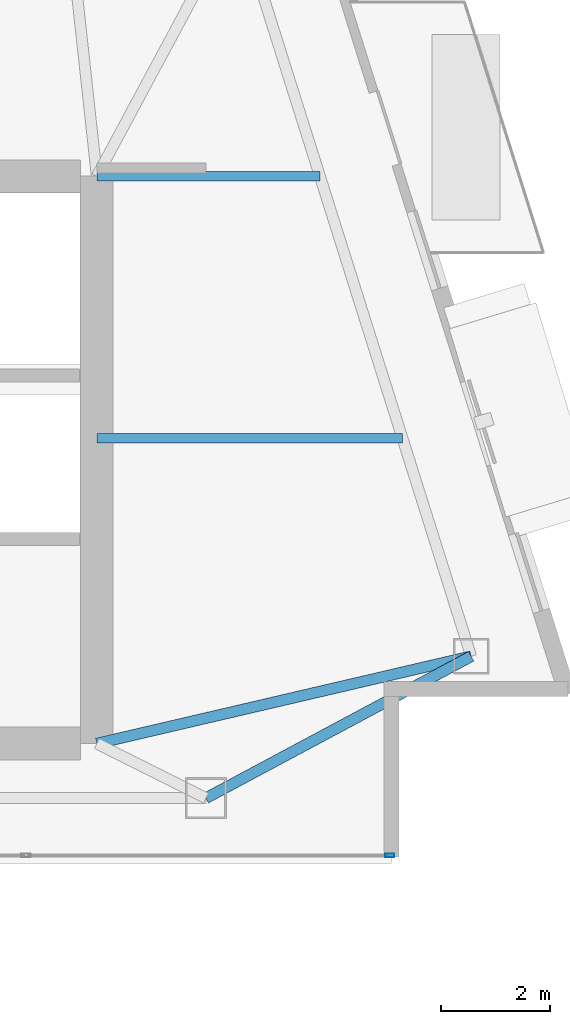
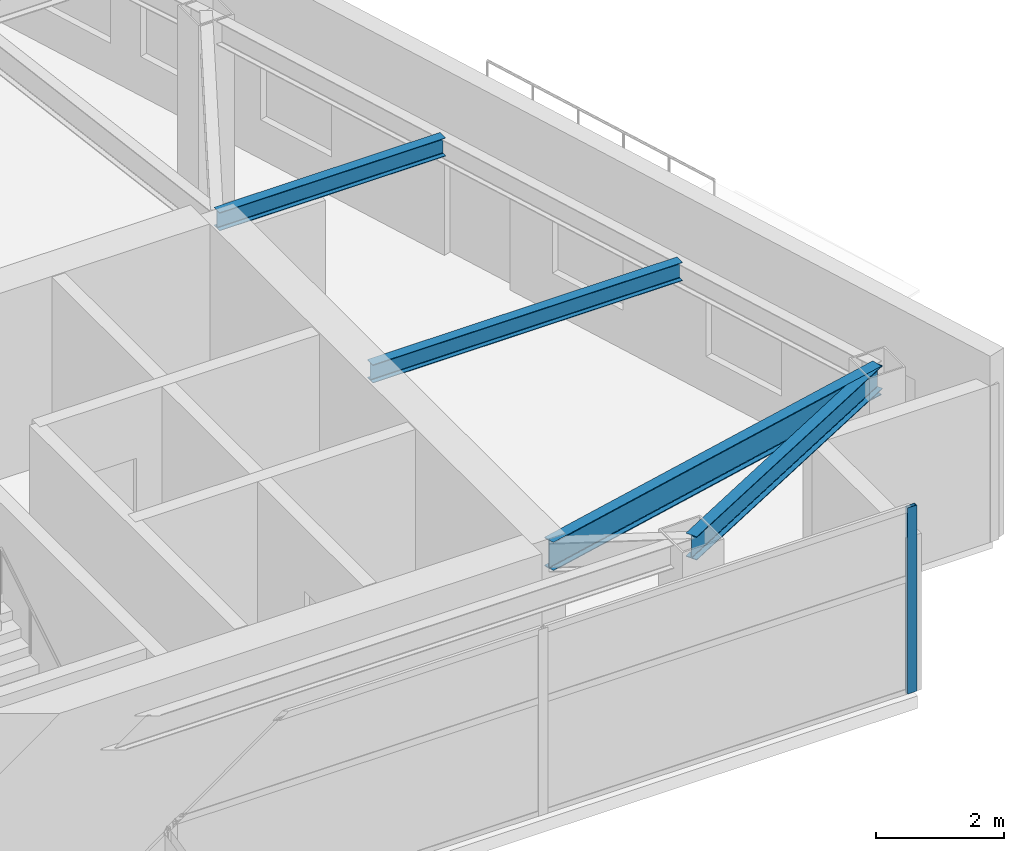
# One storey, part 14 of 27: 4 beams, 1 member, 1 element without a shape of its own.
"""IFC4 building model written with IfcOpenShell, lengths in metres."""

from ifc_helpers import new_model, si_unit, direction, frame, origin, origin_2d, place, context, subcontext, project, spatial, hollow_rectangle, i_section, extrude, material, layer, layer_set, material_profile, profile_set, type_object, element, aggregate, save


model = new_model("IFC4")

# Units and contexts
model_context = context("Model", 3, precision=1e-05, world=origin(), true_north=direction((0.0, 1.0)))
body_context = subcontext(model_context, "Body", "Model", "MODEL_VIEW")
ifc_project = project(units=[si_unit("LENGTHUNIT", "METRE"), si_unit("AREAUNIT", "SQUARE_METRE"), si_unit("VOLUMEUNIT", "CUBIC_METRE"), si_unit("PLANEANGLEUNIT", "RADIAN"), si_unit("MASSUNIT", "GRAM", prefix="KILO")], contexts=[model_context])

# Site, building, storey
site_placement = place(None, origin())
site = spatial("IfcSite", under=ifc_project, at=site_placement, CompositionType="ELEMENT")
building_placement = place(site_placement, origin())
building = spatial("IfcBuilding", under=site, at=building_placement, Name="Calvorn Quay Hotel", CompositionType="ELEMENT")
storey_placement = place(building_placement, frame((0.0, 0.0, 298.699951171875)))
storey = spatial("IfcBuildingStorey", under=building, at=storey_placement, Name="L74", CompositionType="ELEMENT", Elevation=298.699951171875)

# Beams
ifc_material_1 = material(Name="Steel Q355B", Category="steel")
ifc_material_profile_1 = material_profile(ifc_material_1, i_section(OverallWidth=0.199951171875, OverallDepth=0.550048828125, WebThickness=0.010009765625, FlangeThickness=0.01611328125, FilletRadius=0.01806640625, at=origin_2d()), Name="HN550x200x10x16")
ifc_profile_set_1 = profile_set([ifc_material_profile_1], Name="Steel Q355B")
beam_type_1 = type_object("IfcBeamType", Name="BM-GIRD-UPP", PredefinedType="BEAM", material=ifc_profile_set_1)
beam_1_placement = place(storey_placement, frame((32.39990234375, 4.60009765625, 3.26513671875), z_axis=(0.973874684416, 0.227086104935, 0.0), x_axis=(-0.227086104935, 0.973874684416, 0.0)))
element("IfcBeam", 1, at=beam_1_placement, inside=storey, type_object=beam_type_1, Name="Beam BG-L74-E1", PredefinedType="BEAM", context=body_context, shape_type="SweptSolid", body=[
    extrude(i_section(OverallWidth=0.199951171875, OverallDepth=0.550048828125, WebThickness=0.010009765625, FlangeThickness=0.01611328125, FilletRadius=0.01806640625, at=origin_2d()), origin(), (0.0, 0.0, 1.0), 7.045166015625),
])
ifc_material_2 = material(Name="Steel Q355B", Category="steel")
ifc_material_profile_2 = material_profile(ifc_material_2, i_section(OverallWidth=0.175048828125, OverallDepth=0.35009765625, WebThickness=0.007080078125, FlangeThickness=0.010986328125, FilletRadius=0.013916015625, at=origin_2d()), Name="HN350x175x7x11")
ifc_profile_set_2 = profile_set([ifc_material_profile_2], Name="Steel Q355B")
beam_type_2 = type_object("IfcBeamType", Name="BM-JOIST-SEC", PredefinedType="JOIST", material=ifc_profile_set_2)
beam_2_placement = place(storey_placement, frame((32.39990234375, 10.199951171875, 3.364990234375), z_axis=(1.0, 0.0, 0.0), x_axis=(0.0, 1.0, 0.0)))
element("IfcBeam", 2, at=beam_2_placement, inside=storey, type_object=beam_type_2, Name="Beam BJ-L74-E1", PredefinedType="JOIST", context=body_context, shape_type="SweptSolid", body=[
    extrude(i_section(OverallWidth=0.175048828125, OverallDepth=0.35009765625, WebThickness=0.007080078125, FlangeThickness=0.010986328125, FilletRadius=0.013916015625, at=origin_2d()), origin(), (0.0, 0.0, 1.0), 5.60107421875),
])
beam_3_placement = place(storey_placement, frame((32.39990234375, 15.0, 3.364990234375), z_axis=(1.0, 0.0, 0.0), x_axis=(0.0, 1.0, 0.0)))
element("IfcBeam", 3, at=beam_3_placement, inside=storey, type_object=beam_type_2, Name="Beam BJ-L74-E2", PredefinedType="JOIST", context=body_context, shape_type="SweptSolid", body=[
    extrude(i_section(OverallWidth=0.175048828125, OverallDepth=0.35009765625, WebThickness=0.007080078125, FlangeThickness=0.010986328125, FilletRadius=0.013916015625, at=origin_2d()), origin(), (0.0, 0.0, 1.0), 4.088134765625),
])
ifc_material_3 = material(Name="Steel Q355B", Category="steel")
ifc_material_profile_3 = material_profile(ifc_material_3, i_section(OverallWidth=0.199951171875, OverallDepth=0.449951171875, WebThickness=0.009033203125, FlangeThickness=0.013916015625, FilletRadius=0.01611328125, at=origin_2d()), Name="HN450x200x9x14")
ifc_profile_set_3 = profile_set([ifc_material_profile_3], Name="Steel Q355B")
beam_type_3 = type_object("IfcBeamType", Name="BM-SPANDREL-Z3", PredefinedType="SPANDREL", material=ifc_profile_set_3)
beam_4_placement = place(storey_placement, frame((34.39990234375, 3.60009765625, 3.31494140625), z_axis=(0.881804345101, 0.471615412133, 0.0), x_axis=(-0.471615412133, 0.881804345101, 0.0)))
element("IfcBeam", 4, at=beam_4_placement, inside=storey, type_object=beam_type_3, Name="Beam BSP-L74-S4", PredefinedType="SPANDREL", context=body_context, shape_type="SweptSolid", body=[
    extrude(i_section(OverallWidth=0.199951171875, OverallDepth=0.449951171875, WebThickness=0.009033203125, FlangeThickness=0.013916015625, FilletRadius=0.01611328125, at=origin_2d()), origin(), (0.0, 0.0, 1.0), 5.5126953125),
])

# Curtain wall, member
ifc_material_4 = material(Name="Champagne Bronze Anodised Aluminium and Low-E Glass", Category="aluminium")
ifc_layer = layer(ifc_material_4, 0.219970703125)
ifc_layer_set = layer_set([ifc_layer], Name="CW-SYS-Z4")
curtain_wall_type = type_object("IfcCurtainWallType", Name="CW-SYS-Z4", PredefinedType="NOTDEFINED", material=ifc_layer_set)
curtain_wall_placement = place(storey_placement, origin())
curtain_wall = element("IfcCurtainWall", 5, at=curtain_wall_placement, inside=storey, type_object=curtain_wall_type, Name="Tower South Waterfront Curtain Wall (L74)", PredefinedType="NOTDEFINED")
ifc_material_5 = material(Name="Champagne Bronze Anodised Aluminium 6063-T6", Category="aluminium")
ifc_material_profile_4 = material_profile(ifc_material_5, hollow_rectangle(XDim=0.06494140625, YDim=0.169921875, WallThickness=0.00341796875, at=origin_2d()), Name="ALU-M170x65x3.5")
ifc_profile_set_4 = profile_set([ifc_material_profile_4], Name="Champagne Bronze Anodised Aluminium 6063-T6")
member_type = type_object("IfcMemberType", Name="CW-SYS-Z4-MUL", PredefinedType="MULLION", material=ifc_profile_set_4)
member_placement = place(storey_placement, frame((37.77001953125, 2.550048828125, 0.0), z_axis=(0.0, 0.0, 1.0), x_axis=(0.0, 1.0, 0.0)))
member = element("IfcMember", 6, at=member_placement, type_object=member_type, Name="CW-L74-S mullion 5", PredefinedType="MULLION", context=body_context, shape_type="SweptSolid", body=[
    extrude(hollow_rectangle(XDim=0.06494140625, YDim=0.169921875, WallThickness=0.00341796875, at=origin_2d()), origin(), (0.0, 0.0, 1.0), 3.56005859375),
])
aggregate(curtain_wall, [member])

save(model, "model.ifc")
